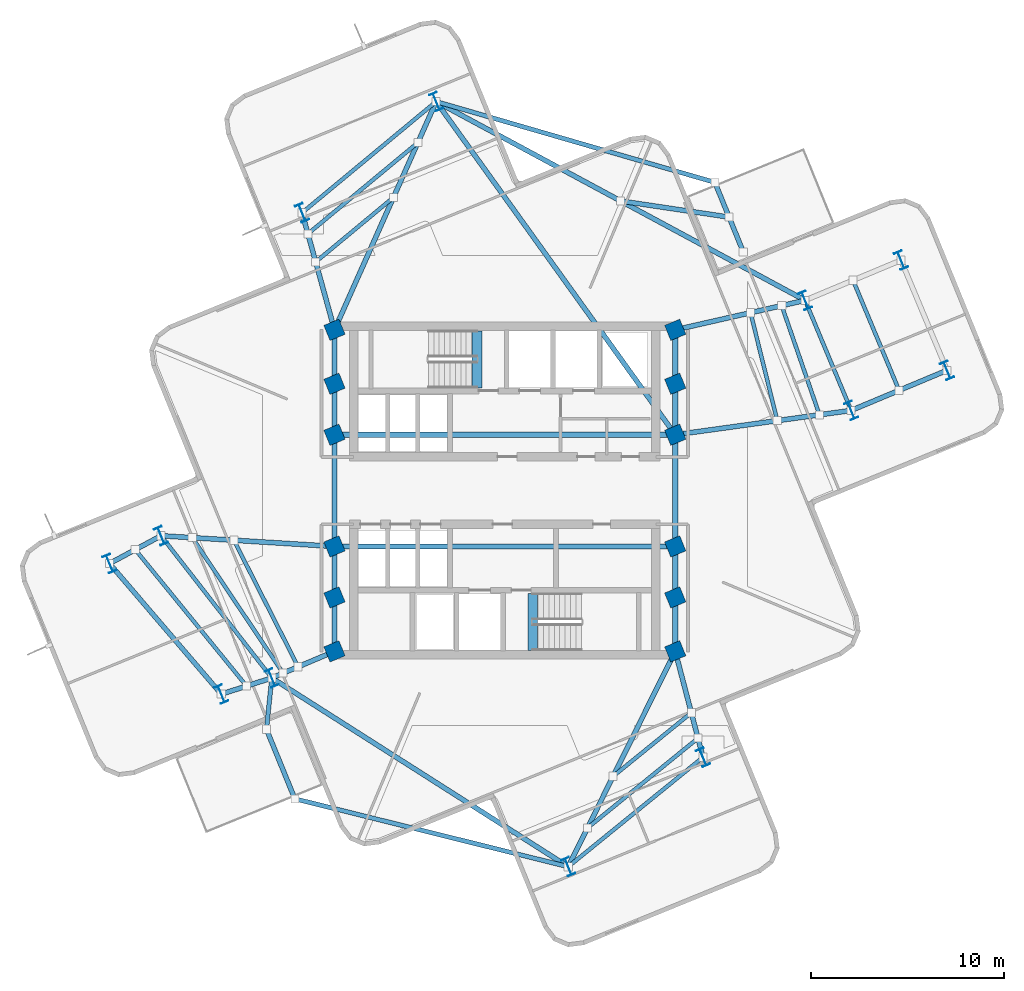
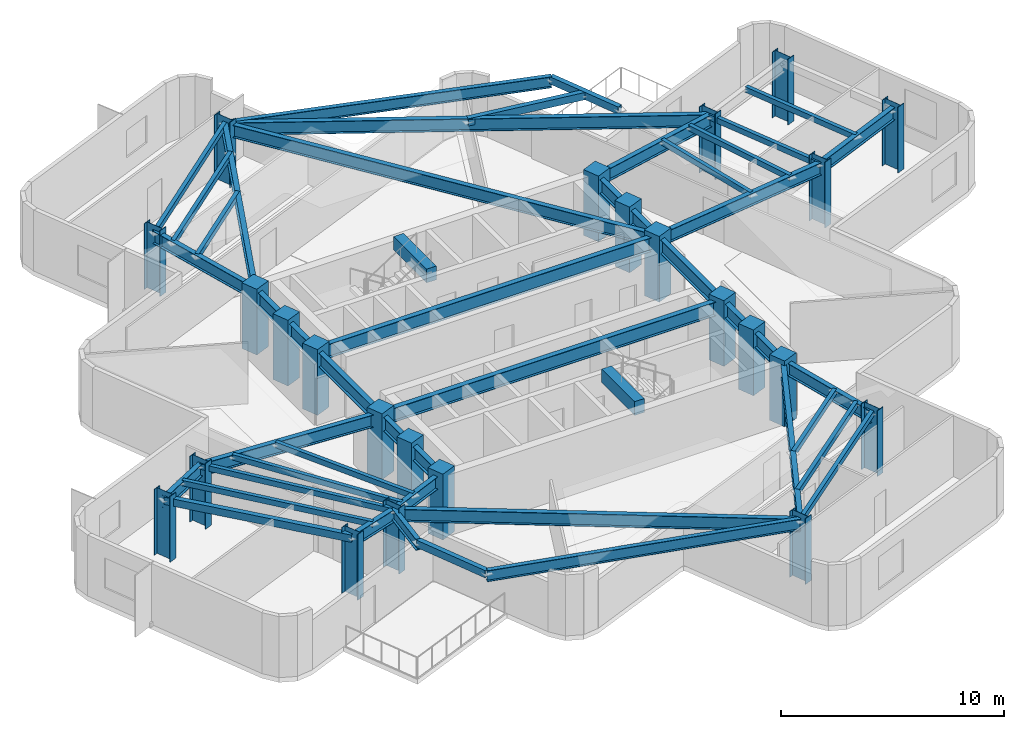
# One storey, part 1 of 8: 49 beams, 24 columns.
"""IFC4 building model written with IfcOpenShell, lengths in metres."""

from ifc_helpers import new_model, si_unit, direction, frame, origin, origin_2d, place, context, subcontext, project, spatial, rectangle, hollow_rectangle, i_section, extrude, material, material_profile, profile_set, type_object, element, save


model = new_model("IFC4")

# Units and contexts
model_context = context("Model", 3, precision=1e-05, world=origin(), true_north=direction((0.0, 1.0)))
body_context = subcontext(model_context, "Body", "Model", "MODEL_VIEW")
ifc_project = project(units=[si_unit("LENGTHUNIT", "METRE"), si_unit("AREAUNIT", "SQUARE_METRE"), si_unit("VOLUMEUNIT", "CUBIC_METRE"), si_unit("PLANEANGLEUNIT", "RADIAN"), si_unit("MASSUNIT", "GRAM", prefix="KILO")], contexts=[model_context])

# Site, building, storey
site_placement = place(None, origin())
site = spatial("IfcSite", under=ifc_project, at=site_placement, CompositionType="ELEMENT")
building_placement = place(site_placement, origin())
building = spatial("IfcBuilding", under=site, at=building_placement, Name="Solmarez Civic Tower", CompositionType="ELEMENT")
storey_placement = place(building_placement, frame((0.0, 0.0, 173.8798828125)))
storey = spatial("IfcBuildingStorey", under=building, at=storey_placement, Name="L46", CompositionType="ELEMENT", Elevation=173.8798828125)

# Columns
ifc_material_1 = material(Name="Concrete C50/60", Category="concrete")
ifc_material_profile_1 = material_profile(ifc_material_1, rectangle(XDim=0.85009765625, YDim=0.85009765625, at=origin_2d()), Name="RC850X850")
ifc_profile_set_1 = profile_set([ifc_material_profile_1], Name="Concrete C50/60")
column_type_1 = type_object("IfcColumnType", Name="COL-RC850", PredefinedType="COLUMN", material=ifc_profile_set_1)
for number, where, z_axis, x_axis, name in (
    (1, (-8.85009765625, -5.550048828125, 0.0), (0.0, 0.0, 1.0), (0.92587058481, 0.377840786818, 0.0), "L46 Structural Column HC1"),
    (2, (-8.85009765625, -2.89990234375, 0.0), (0.0, 0.0, 1.0), (0.92587058481, 0.377840786818, 0.0), "L46 Structural Column HC2"),
    (3, (-8.85009765625, 2.89990234375, 0.0), (0.0, 0.0, 1.0), (0.92587058481, 0.377840786818, 0.0), "L46 Structural Column HC3"),
    (4, (-8.85009765625, 5.550048828125, 0.0), (0.0, 0.0, 1.0), (0.92587058481, 0.377840786818, 0.0), "L46 Structural Column HC4"),
    (5, (8.85009765625, -5.550048828125, 0.0), (0.0, 0.0, 1.0), (0.92587058481, 0.377840786818, 0.0), "L46 Structural Column HC5"),
    (6, (8.85009765625, -2.89990234375, 0.0), (0.0, 0.0, 1.0), (0.92587058481, 0.377840786818, 0.0), "L46 Structural Column HC6"),
    (7, (8.85009765625, 2.89990234375, 0.0), (0.0, 0.0, 1.0), (0.92587058481, 0.377840786818, 0.0), "L46 Structural Column HC7"),
    (8, (8.85009765625, 5.550048828125, 0.0), (0.0, 0.0, 1.0), (0.92587058481, 0.377840786818, 0.0), "L46 Structural Column HC8"),
    (9, (-8.85009765625, 8.35009765625, 0.0), (0.0, 0.0, 1.0), (0.92587058481, 0.377840786818, 0.0), "L46 Structural Column HC9"),
    (10, (8.85009765625, -8.35009765625, 0.0), (0.0, 0.0, 1.0), (0.92587058481, 0.377840786818, 0.0), "L46 Structural Column HC10"),
    (11, (8.85009765625, 8.35009765625, 0.0), (0.0, 0.0, 1.0), (0.92587058481, 0.377840786818, 0.0), "L46 Structural Column HC11"),
    (12, (-8.85009765625, -8.35009765625, 0.0), (0.0, 0.0, 1.0), (0.92587058481, 0.377840786818, 0.0), "L46 Structural Column HC12"),
):
    element("IfcColumn", number, at=place(storey_placement, frame(where, z_axis=z_axis, x_axis=x_axis)), inside=storey, type_object=column_type_1, Name=name, PredefinedType="COLUMN", context=body_context, shape_type="SweptSolid", body=[
        extrude(rectangle(XDim=0.85009765625, YDim=0.85009765625, at=origin_2d()), origin(), (0.0, 0.0, 1.0), 3.60009765625),
    ])
ifc_material_2 = material(Name="Steel S355", Category="steel")
ifc_material_profile_2 = material_profile(ifc_material_2, i_section(OverallWidth=0.41796875, OverallDepth=0.927001953125, WebThickness=0.019287109375, FlangeThickness=0.031982421875, at=origin_2d()), Name="W36X231")
ifc_profile_set_2 = profile_set([ifc_material_profile_2], Name="Steel S355")
column_type_2 = type_object("IfcColumnType", Name="COL-W36X231", PredefinedType="COLUMN", material=ifc_profile_set_2)
for number, where, z_axis, x_axis, name in (
    (13, (17.987060546875, 4.1640625, 0.0), (0.0, 0.0, 1.0), (0.92587058481, 0.377840786818, 0.0), "L46 Structural Column EA11"),
    (14, (15.593994140625, 9.883056640625, 0.0), (0.0, 0.0, 1.0), (0.92587058481, 0.377840786818, 0.0), "L46 Structural Column EA12"),
    (15, (22.968017578125, 6.248046875, 0.0), (0.0, 0.0, 1.0), (0.92587058481, 0.377840786818, 0.0), "L46 Structural Column EA21"),
    (16, (20.575927734375, 11.967041015625, 0.0), (0.0, 0.0, 1.0), (0.92587058481, 0.377840786818, 0.0), "L46 Structural Column EA22"),
    (17, (-3.570068359375, 20.20703125, 0.0), (0.0, 0.0, 1.0), (0.92587058481, 0.377840786818, 0.0), "L46 Structural Column NA11"),
    (18, (-10.532958984375, 14.43310546875, 0.0), (0.0, 0.0, 1.0), (0.92587058481, 0.377840786818, 0.0), "L46 Structural Column NA12"),
    (19, (-17.85791015625, -2.345947265625, 0.0), (0.0, 0.0, 1.0), (0.92587058481, 0.377840786818, 0.0), "L46 Structural Column WA11"),
    (20, (-12.10595703125, -9.73095703125, 0.0), (0.0, 0.0, 1.0), (0.92587058481, 0.377840786818, 0.0), "L46 Structural Column WA12"),
    (21, (-20.534912109375, -3.7880859375, 0.0), (0.0, 0.0, 1.0), (0.92587058481, 0.377840786818, 0.0), "L46 Structural Column WA21"),
    (22, (-14.73095703125, -10.572998046875, 0.0), (0.0, 0.0, 1.0), (0.92587058481, 0.377840786818, 0.0), "L46 Structural Column WA22"),
    (23, (3.2900390625, -19.535888671875, 0.0), (0.0, 0.0, 1.0), (0.92587058481, 0.377840786818, 0.0), "L46 Structural Column SA11"),
    (24, (10.2900390625, -13.85009765625, 0.0), (0.0, 0.0, 1.0), (0.92587058481, 0.377840786818, 0.0), "L46 Structural Column SA12"),
):
    element("IfcColumn", number, at=place(storey_placement, frame(where, z_axis=z_axis, x_axis=x_axis)), inside=storey, type_object=column_type_2, Name=name, PredefinedType="COLUMN", context=body_context, shape_type="SweptSolid", body=[
        extrude(i_section(OverallWidth=0.41796875, OverallDepth=0.927001953125, WebThickness=0.019287109375, FlangeThickness=0.031982421875, at=origin_2d()), origin(), (0.0, 0.0, 1.0), 3.60009765625),
    ])

# Beams
ifc_material_profile_3 = material_profile(ifc_material_2, hollow_rectangle(XDim=0.199951171875, YDim=0.300048828125, WallThickness=0.011962890625, at=origin_2d()), Name="HSS300X200X12")
ifc_profile_set_3 = profile_set([ifc_material_profile_3], Name="Steel S355")
beam_type_1 = type_object("IfcBeamType", Name="BM-JS-HSS300X200", PredefinedType="JOIST", material=ifc_profile_set_3)
beam_1_placement = place(storey_placement, frame((17.987060546875, 4.1640625, 3.190185546875), z_axis=(-0.386010282684, 0.922494477849, 0.0), x_axis=(-0.922494477849, -0.386010282684, 0.0)))
element("IfcBeam", 25, at=beam_1_placement, inside=storey, type_object=beam_type_1, Name="L46 Secondary Floor Joist BM-L46-EA-T1", PredefinedType="JOIST", context=body_context, shape_type="SweptSolid", body=[
    extrude(hollow_rectangle(XDim=0.199951171875, YDim=0.300048828125, WallThickness=0.011962890625, at=origin_2d()), origin(), (0.0, 0.0, 1.0), 6.199462890625),
])
beam_2_placement = place(storey_placement, frame((20.47705078125, 5.2060546875, 3.190185546875), z_axis=(-0.385876218946, 0.922550564279, 0.0), x_axis=(-0.922550564279, -0.385876218946, 0.0)))
element("IfcBeam", 26, at=beam_2_placement, inside=storey, type_object=beam_type_1, Name="L46 Secondary Floor Joist JS-L46-EA-M2", PredefinedType="JOIST", context=body_context, shape_type="SweptSolid", body=[
    extrude(hollow_rectangle(XDim=0.199951171875, YDim=0.300048828125, WallThickness=0.011962890625, at=origin_2d()), origin(), (0.0, 0.0, 1.0), 6.19921875),
])
beam_3_placement = place(storey_placement, frame((14.14892578125, 3.633056640625, 3.190185546875), z_axis=(-0.240167471374, 0.970731469405, 0.0), x_axis=(-0.970731469405, -0.240167471374, 0.0)))
element("IfcBeam", 27, at=beam_3_placement, inside=storey, type_object=beam_type_1, Name="L46 Secondary Floor Joist JS-L46-EA-M11", PredefinedType="JOIST", context=body_context, shape_type="SweptSolid", body=[
    extrude(hollow_rectangle(XDim=0.199951171875, YDim=0.300048828125, WallThickness=0.011962890625, at=origin_2d()), origin(), (0.0, 0.0, 1.0), 5.77490234375),
])
beam_4_placement = place(storey_placement, frame((16.342041015625, 3.93603515625, 3.190185546875), z_axis=(-0.326984797789, 0.945029598486, 0.0), x_axis=(-0.945029598486, -0.326984797789, 0.0)))
element("IfcBeam", 28, at=beam_4_placement, inside=storey, type_object=beam_type_1, Name="L46 Secondary Floor Joist JS-L46-EA-M12", PredefinedType="JOIST", context=body_context, shape_type="SweptSolid", body=[
    extrude(hollow_rectangle(XDim=0.199951171875, YDim=0.300048828125, WallThickness=0.011962890625, at=origin_2d()), origin(), (0.0, 0.0, 1.0), 6.000732421875),
])
beam_5_placement = place(storey_placement, frame((-3.570068359375, 20.20703125, 3.190185546875), z_axis=(-0.769767664309, -0.638324167633, 0.0), x_axis=(0.638324167633, -0.769767664309, 0.0)))
element("IfcBeam", 29, at=beam_5_placement, inside=storey, type_object=beam_type_1, Name="L46 Secondary Floor Joist BM-L46-NA-T1", PredefinedType="JOIST", context=body_context, shape_type="SweptSolid", body=[
    extrude(hollow_rectangle(XDim=0.199951171875, YDim=0.300048828125, WallThickness=0.011962890625, at=origin_2d()), origin(), (0.0, 0.0, 1.0), 9.04541015625),
])
beam_6_placement = place(storey_placement, frame((-5.7880859375, 15.22705078125, 3.190185546875), z_axis=(-0.76969549019, -0.63841119381, 0.0), x_axis=(0.63841119381, -0.76969549019, 0.0)))
element("IfcBeam", 30, at=beam_6_placement, inside=storey, type_object=beam_type_1, Name="L46 Secondary Floor Joist JS-L46-NA-M11", PredefinedType="JOIST", context=body_context, shape_type="SweptSolid", body=[
    extrude(hollow_rectangle(XDim=0.199951171875, YDim=0.300048828125, WallThickness=0.011962890625, at=origin_2d()), origin(), (0.0, 0.0, 1.0), 5.24609375),
])
beam_7_placement = place(storey_placement, frame((-4.52001953125, 18.072998046875, 3.190185546875), z_axis=(-0.769756777075, -0.638337296535, 0.0), x_axis=(0.638337296535, -0.769756777075, 0.0)))
element("IfcBeam", 31, at=beam_7_placement, inside=storey, type_object=beam_type_1, Name="L46 Secondary Floor Joist JS-L46-NA-M12", PredefinedType="JOIST", context=body_context, shape_type="SweptSolid", body=[
    extrude(hollow_rectangle(XDim=0.199951171875, YDim=0.300048828125, WallThickness=0.011962890625, at=origin_2d()), origin(), (0.0, 0.0, 1.0), 7.41796875),
])
beam_8_placement = place(storey_placement, frame((-17.85791015625, -2.345947265625, 3.190185546875), z_axis=(0.614476744631, -0.788934934141, 0.0), x_axis=(0.788934934141, 0.614476744631, 0.0)))
element("IfcBeam", 32, at=beam_8_placement, inside=storey, type_object=beam_type_1, Name="L46 Secondary Floor Joist BM-L46-WA-T1", PredefinedType="JOIST", context=body_context, shape_type="SweptSolid", body=[
    extrude(hollow_rectangle(XDim=0.199951171875, YDim=0.300048828125, WallThickness=0.011962890625, at=origin_2d()), origin(), (0.0, 0.0, 1.0), 9.36083984375),
])
beam_9_placement = place(storey_placement, frame((-19.197021484375, -3.06689453125, 3.190185546875), z_axis=(0.632062174253, -0.77491767813, 0.0), x_axis=(0.77491767813, 0.632062174253, 0.0)))
element("IfcBeam", 33, at=beam_9_placement, inside=storey, type_object=beam_type_1, Name="L46 Secondary Floor Joist JS-L46-WA-M2", PredefinedType="JOIST", context=body_context, shape_type="SweptSolid", body=[
    extrude(hollow_rectangle(XDim=0.199951171875, YDim=0.300048828125, WallThickness=0.011962890625, at=origin_2d()), origin(), (0.0, 0.0, 1.0), 9.14306640625),
])
beam_10_placement = place(storey_placement, frame((-14.074951171875, -2.5791015625, 3.190185546875), z_axis=(0.452743410654, -0.891640849282, 0.0), x_axis=(0.891640849282, 0.452743410654, 0.0)))
element("IfcBeam", 34, at=beam_10_placement, inside=storey, type_object=beam_type_1, Name="L46 Secondary Floor Joist JS-L46-WA-M11", PredefinedType="JOIST", context=body_context, shape_type="SweptSolid", body=[
    extrude(hollow_rectangle(XDim=0.199951171875, YDim=0.300048828125, WallThickness=0.011962890625, at=origin_2d()), origin(), (0.0, 0.0, 1.0), 7.370361328125),
])
beam_11_placement = place(storey_placement, frame((-16.237060546875, -2.446044921875, 3.190185546875), z_axis=(0.556859935783, -0.830606412159, 0.0), x_axis=(0.830606412159, 0.556859935783, 0.0)))
element("IfcBeam", 35, at=beam_11_placement, inside=storey, type_object=beam_type_1, Name="L46 Secondary Floor Joist JS-L46-WA-M12", PredefinedType="JOIST", context=body_context, shape_type="SweptSolid", body=[
    extrude(hollow_rectangle(XDim=0.199951171875, YDim=0.300048828125, WallThickness=0.011962890625, at=origin_2d()), origin(), (0.0, 0.0, 1.0), 8.470703125),
])
beam_12_placement = place(storey_placement, frame((3.2900390625, -19.535888671875, 3.190185546875), z_axis=(0.776206737012, 0.630478470225, 0.0), x_axis=(-0.630478470225, 0.776206737012, 0.0)))
element("IfcBeam", 36, at=beam_12_placement, inside=storey, type_object=beam_type_1, Name="L46 Secondary Floor Joist BM-L46-SA-T1", PredefinedType="JOIST", context=body_context, shape_type="SweptSolid", body=[
    extrude(hollow_rectangle(XDim=0.199951171875, YDim=0.300048828125, WallThickness=0.011962890625, at=origin_2d()), origin(), (0.0, 0.0, 1.0), 9.018310546875),
])
beam_13_placement = place(storey_placement, frame((5.625, -14.837890625, 3.190185546875), z_axis=(0.776202509922, 0.630483674325, 0.0), x_axis=(-0.630483674325, 0.776202509922, 0.0)))
element("IfcBeam", 37, at=beam_13_placement, inside=storey, type_object=beam_type_1, Name="L46 Secondary Floor Joist JS-L46-SA-M11", PredefinedType="JOIST", context=body_context, shape_type="SweptSolid", body=[
    extrude(hollow_rectangle(XDim=0.199951171875, YDim=0.300048828125, WallThickness=0.011962890625, at=origin_2d()), origin(), (0.0, 0.0, 1.0), 5.230712890625),
])
beam_14_placement = place(storey_placement, frame((4.291015625, -17.52294921875, 3.190185546875), z_axis=(0.776173575786, 0.630519294115, 0.0), x_axis=(-0.630519294115, 0.776173575786, 0.0)))
element("IfcBeam", 38, at=beam_14_placement, inside=storey, type_object=beam_type_1, Name="L46 Secondary Floor Joist JS-L46-SA-M12", PredefinedType="JOIST", context=body_context, shape_type="SweptSolid", body=[
    extrude(hollow_rectangle(XDim=0.199951171875, YDim=0.300048828125, WallThickness=0.011962890625, at=origin_2d()), origin(), (0.0, 0.0, 1.0), 7.395263671875),
])
ifc_material_profile_4 = material_profile(ifc_material_1, rectangle(XDim=0.5, YDim=0.75, at=origin_2d()), Name="RC500X750")
ifc_profile_set_4 = profile_set([ifc_material_profile_4], Name="Concrete C50/60")
beam_type_2 = type_object("IfcBeamType", Name="BM-PR-RC500X750", PredefinedType="BEAM", material=ifc_profile_set_4)
for number, where, z_axis, x_axis, name in (
    (39, (-1.449951171875, 5.340087890625, 3.233154296875), (0.0, 1.0, 0.0), (-1.0, 0.0, 0.0), "L46 North Stair Threshold Beam"),
    (40, (1.449951171875, -8.300048828125, 3.233154296875), (0.0, 1.0, 0.0), (-1.0, 0.0, 0.0), "L46 South Stair Threshold Beam"),
):
    element("IfcBeam", number, at=place(storey_placement, frame(where, z_axis=z_axis, x_axis=x_axis)), inside=storey, type_object=beam_type_2, Name=name, PredefinedType="BEAM", context=body_context, shape_type="SweptSolid", body=[
        extrude(rectangle(XDim=0.5, YDim=0.75, at=origin_2d()), origin(), (0.0, 0.0, 1.0), 2.9599609375),
    ])
ifc_material_profile_5 = material_profile(ifc_material_2, i_section(OverallWidth=0.25390625, OverallDepth=0.68798828125, WebThickness=0.01318359375, FlangeThickness=0.02099609375, at=origin_2d()), Name="W27X102")
ifc_profile_set_5 = profile_set([ifc_material_profile_5], Name="Steel S355")
beam_type_3 = type_object("IfcBeamType", Name="BM-PR-W27X102", PredefinedType="BEAM", material=ifc_profile_set_5)
beam_15_placement = place(storey_placement, frame((8.85009765625, 2.89990234375, 2.99609375), z_axis=(0.990563968355, 0.137051175101, 0.0), x_axis=(-0.137051175101, 0.990563968355, 0.0)))
element("IfcBeam", 41, at=beam_15_placement, inside=storey, type_object=beam_type_3, Name="L46 Primary Floor Beam BM-L46-EA-R1A", PredefinedType="BEAM", context=body_context, shape_type="SweptSolid", body=[
    extrude(i_section(OverallWidth=0.25390625, OverallDepth=0.68798828125, WebThickness=0.01318359375, FlangeThickness=0.02099609375, at=origin_2d()), origin(), (0.0, 0.0, 1.0), 9.22412109375),
])
beam_16_placement = place(storey_placement, frame((8.85009765625, 8.35009765625, 2.99609375), z_axis=(0.975124879448, 0.221656196577, 0.0), x_axis=(-0.221656196577, 0.975124879448, 0.0)))
element("IfcBeam", 42, at=beam_16_placement, inside=storey, type_object=beam_type_3, Name="L46 Primary Floor Beam BM-L46-EA-R1B", PredefinedType="BEAM", context=body_context, shape_type="SweptSolid", body=[
    extrude(i_section(OverallWidth=0.25390625, OverallDepth=0.68798828125, WebThickness=0.01318359375, FlangeThickness=0.02099609375, at=origin_2d()), origin(), (0.0, 0.0, 1.0), 6.916015625),
])
beam_17_placement = place(storey_placement, frame((17.987060546875, 4.1640625, 2.99609375), z_axis=(0.922511388683, 0.385969866376, 0.0), x_axis=(-0.385969866376, 0.922511388683, 0.0)))
element("IfcBeam", 43, at=beam_17_placement, inside=storey, type_object=beam_type_3, Name="L46 Primary Floor Beam BM-L46-EA-R2A", PredefinedType="BEAM", context=body_context, shape_type="SweptSolid", body=[
    extrude(i_section(OverallWidth=0.25390625, OverallDepth=0.68798828125, WebThickness=0.01318359375, FlangeThickness=0.02099609375, at=origin_2d()), origin(), (0.0, 0.0, 1.0), 5.3994140625),
])
beam_18_placement = place(storey_placement, frame((-8.85009765625, 8.35009765625, 2.99609375), z_axis=(0.406799805731, 0.9135173332, 0.0), x_axis=(-0.9135173332, 0.406799805731, 0.0)))
element("IfcBeam", 44, at=beam_18_placement, inside=storey, type_object=beam_type_3, Name="L46 Primary Floor Beam BM-L46-NA-R1A", PredefinedType="BEAM", context=body_context, shape_type="SweptSolid", body=[
    extrude(i_section(OverallWidth=0.25390625, OverallDepth=0.68798828125, WebThickness=0.01318359375, FlangeThickness=0.02099609375, at=origin_2d()), origin(), (0.0, 0.0, 1.0), 12.9794921875),
])
beam_19_placement = place(storey_placement, frame((-8.85009765625, 8.35009765625, 2.99609375), z_axis=(-0.266634219494, 0.963797796737, 0.0), x_axis=(-0.963797796737, -0.266634219494, 0.0)))
element("IfcBeam", 45, at=beam_19_placement, inside=storey, type_object=beam_type_3, Name="L46 Primary Floor Beam BM-L46-NA-R1B", PredefinedType="BEAM", context=body_context, shape_type="SweptSolid", body=[
    extrude(i_section(OverallWidth=0.25390625, OverallDepth=0.68798828125, WebThickness=0.01318359375, FlangeThickness=0.02099609375, at=origin_2d()), origin(), (0.0, 0.0, 1.0), 6.3115234375),
])
beam_20_placement = place(storey_placement, frame((-8.85009765625, -2.89990234375, 2.99609375), z_axis=(-0.998114395047, 0.061381221877, 0.0), x_axis=(-0.061381221877, -0.998114395047, 0.0)))
element("IfcBeam", 46, at=beam_20_placement, inside=storey, type_object=beam_type_3, Name="L46 Primary Floor Beam BM-L46-WA-R1A", PredefinedType="BEAM", context=body_context, shape_type="SweptSolid", body=[
    extrude(i_section(OverallWidth=0.25390625, OverallDepth=0.68798828125, WebThickness=0.01318359375, FlangeThickness=0.02099609375, at=origin_2d()), origin(), (0.0, 0.0, 1.0), 9.02490234375),
])
beam_21_placement = place(storey_placement, frame((-8.85009765625, -8.35009765625, 2.99609375), z_axis=(-0.920623894701, -0.390450566019, 0.0), x_axis=(0.390450566019, -0.920623894701, 0.0)))
element("IfcBeam", 47, at=beam_21_placement, inside=storey, type_object=beam_type_3, Name="L46 Primary Floor Beam BM-L46-WA-R1B", PredefinedType="BEAM", context=body_context, shape_type="SweptSolid", body=[
    extrude(i_section(OverallWidth=0.25390625, OverallDepth=0.68798828125, WebThickness=0.01318359375, FlangeThickness=0.02099609375, at=origin_2d()), origin(), (0.0, 0.0, 1.0), 3.53662109375),
])
beam_22_placement = place(storey_placement, frame((-17.85791015625, -2.345947265625, 2.99609375), z_axis=(-0.880378270924, -0.474272179329, 0.0), x_axis=(0.474272179329, -0.880378270924, 0.0)))
element("IfcBeam", 48, at=beam_22_placement, inside=storey, type_object=beam_type_3, Name="L46 Primary Floor Beam BM-L46-WA-R2A", PredefinedType="BEAM", context=body_context, shape_type="SweptSolid", body=[
    extrude(i_section(OverallWidth=0.25390625, OverallDepth=0.68798828125, WebThickness=0.01318359375, FlangeThickness=0.02099609375, at=origin_2d()), origin(), (0.0, 0.0, 1.0), 3.040771484375),
])
beam_23_placement = place(storey_placement, frame((-12.10595703125, -9.73095703125, 2.99609375), z_axis=(-0.952208998703, -0.305447250421, 0.0), x_axis=(0.305447250421, -0.952208998703, 0.0)))
element("IfcBeam", 49, at=beam_23_placement, inside=storey, type_object=beam_type_3, Name="L46 Primary Floor Beam BM-L46-WA-R2B", PredefinedType="BEAM", context=body_context, shape_type="SweptSolid", body=[
    extrude(i_section(OverallWidth=0.25390625, OverallDepth=0.68798828125, WebThickness=0.01318359375, FlangeThickness=0.02099609375, at=origin_2d()), origin(), (0.0, 0.0, 1.0), 2.7568359375),
])
beam_24_placement = place(storey_placement, frame((8.85009765625, -8.35009765625, 2.99609375), z_axis=(-0.44510935737, -0.895476219663, 0.0), x_axis=(0.895476219663, -0.44510935737, 0.0)))
element("IfcBeam", 50, at=beam_24_placement, inside=storey, type_object=beam_type_3, Name="L46 Primary Floor Beam BM-L46-SA-R1A", PredefinedType="BEAM", context=body_context, shape_type="SweptSolid", body=[
    extrude(i_section(OverallWidth=0.25390625, OverallDepth=0.68798828125, WebThickness=0.01318359375, FlangeThickness=0.02099609375, at=origin_2d()), origin(), (0.0, 0.0, 1.0), 12.491455078125),
])
beam_25_placement = place(storey_placement, frame((8.85009765625, -8.35009765625, 2.99609375), z_axis=(0.253271365575, -0.967395273598, 0.0), x_axis=(0.967395273598, 0.253271365575, 0.0)))
element("IfcBeam", 51, at=beam_25_placement, inside=storey, type_object=beam_type_3, Name="L46 Primary Floor Beam BM-L46-SA-R1B", PredefinedType="BEAM", context=body_context, shape_type="SweptSolid", body=[
    extrude(i_section(OverallWidth=0.25390625, OverallDepth=0.68798828125, WebThickness=0.01318359375, FlangeThickness=0.02099609375, at=origin_2d()), origin(), (0.0, 0.0, 1.0), 5.685302734375),
])
beam_26_placement = place(storey_placement, frame((15.593994140625, 9.883056640625, 2.99609375), z_axis=(-0.880377808395, 0.474273037908, 0.0), x_axis=(-0.474273037908, -0.880377808395, 0.0)))
element("IfcBeam", 52, at=beam_26_placement, inside=storey, type_object=beam_type_3, Name="L46 Primary Floor Beam BM-L46-BALC-NEC", PredefinedType="BEAM", context=body_context, shape_type="SweptSolid", body=[
    extrude(i_section(OverallWidth=0.25390625, OverallDepth=0.68798828125, WebThickness=0.01318359375, FlangeThickness=0.02099609375, at=origin_2d()), origin(), (0.0, 0.0, 1.0), 21.76806640625),
])
beam_27_placement = place(storey_placement, frame((8.85009765625, 2.89990234375, 2.99609375), z_axis=(-0.583037485984, 0.812445253502, 0.0), x_axis=(-0.812445253502, -0.583037485984, 0.0)))
element("IfcBeam", 53, at=beam_27_placement, inside=storey, type_object=beam_type_3, Name="L46 Primary Floor Beam BM-L46-BALC-NETIE", PredefinedType="BEAM", context=body_context, shape_type="SweptSolid", body=[
    extrude(i_section(OverallWidth=0.25390625, OverallDepth=0.68798828125, WebThickness=0.01318359375, FlangeThickness=0.02099609375, at=origin_2d()), origin(), (0.0, 0.0, 1.0), 21.302490234375),
])
beam_28_placement = place(storey_placement, frame((-12.10595703125, -9.73095703125, 2.99609375), z_axis=(0.843475834773, -0.537167121251, 0.0), x_axis=(0.537167121251, 0.843475834773, 0.0)))
element("IfcBeam", 54, at=beam_28_placement, inside=storey, type_object=beam_type_3, Name="L46 Primary Floor Beam BM-L46-BALC-SWC", PredefinedType="BEAM", context=body_context, shape_type="SweptSolid", body=[
    extrude(i_section(OverallWidth=0.25390625, OverallDepth=0.68798828125, WebThickness=0.01318359375, FlangeThickness=0.02099609375, at=origin_2d()), origin(), (0.0, 0.0, 1.0), 18.2529296875),
])
ifc_material_profile_6 = material_profile(ifc_material_2, i_section(OverallWidth=0.26708984375, OverallDepth=0.761962890625, WebThickness=0.014404296875, FlangeThickness=0.021484375, at=origin_2d()), Name="W30X116")
ifc_profile_set_6 = profile_set([ifc_material_profile_6], Name="Steel S355")
beam_type_4 = type_object("IfcBeamType", Name="BM-PR-W30X116", PredefinedType="BEAM", material=ifc_profile_set_6)
beam_29_placement = place(storey_placement, frame((-8.85009765625, -8.35009765625, 2.959228515625), z_axis=(0.0, 1.0, 0.0), x_axis=(-1.0, 0.0, 0.0)))
element("IfcBeam", 55, at=beam_29_placement, inside=storey, type_object=beam_type_4, Name="L46 Primary Floor Beam BM-L46-HC12-HC1", PredefinedType="BEAM", context=body_context, shape_type="SweptSolid", body=[
    extrude(i_section(OverallWidth=0.26708984375, OverallDepth=0.761962890625, WebThickness=0.014404296875, FlangeThickness=0.021484375, at=origin_2d()), origin(), (0.0, 0.0, 1.0), 2.800048828125),
])
beam_30_placement = place(storey_placement, frame((-8.85009765625, -5.550048828125, 2.959228515625), z_axis=(0.0, 1.0, 0.0), x_axis=(-1.0, 0.0, 0.0)))
element("IfcBeam", 56, at=beam_30_placement, inside=storey, type_object=beam_type_4, Name="L46 Primary Floor Beam BM-L46-HC1-HC2", PredefinedType="BEAM", context=body_context, shape_type="SweptSolid", body=[
    extrude(i_section(OverallWidth=0.26708984375, OverallDepth=0.761962890625, WebThickness=0.014404296875, FlangeThickness=0.021484375, at=origin_2d()), origin(), (0.0, 0.0, 1.0), 2.650146484375),
])
beam_31_placement = place(storey_placement, frame((-8.85009765625, -2.89990234375, 2.959228515625), z_axis=(0.0, 1.0, 0.0), x_axis=(-1.0, 0.0, 0.0)))
element("IfcBeam", 57, at=beam_31_placement, inside=storey, type_object=beam_type_4, Name="L46 Primary Floor Beam BM-L46-HC2-HC3", PredefinedType="BEAM", context=body_context, shape_type="SweptSolid", body=[
    extrude(i_section(OverallWidth=0.26708984375, OverallDepth=0.761962890625, WebThickness=0.014404296875, FlangeThickness=0.021484375, at=origin_2d()), origin(), (0.0, 0.0, 1.0), 5.7998046875),
])
beam_32_placement = place(storey_placement, frame((-8.85009765625, 2.89990234375, 2.959228515625), z_axis=(0.0, 1.0, 0.0), x_axis=(-1.0, 0.0, 0.0)))
element("IfcBeam", 58, at=beam_32_placement, inside=storey, type_object=beam_type_4, Name="L46 Primary Floor Beam BM-L46-HC3-HC4", PredefinedType="BEAM", context=body_context, shape_type="SweptSolid", body=[
    extrude(i_section(OverallWidth=0.26708984375, OverallDepth=0.761962890625, WebThickness=0.014404296875, FlangeThickness=0.021484375, at=origin_2d()), origin(), (0.0, 0.0, 1.0), 2.650146484375),
])
for number, where, z_axis, x_axis, name in (
    (59, (-8.85009765625, 5.550048828125, 2.959228515625), (0.0, 1.0, 0.0), (-1.0, 0.0, 0.0), "L46 Primary Floor Beam BM-L46-HC4-HC9"),
    (60, (8.85009765625, -8.35009765625, 2.959228515625), (0.0, 1.0, 0.0), (-1.0, 0.0, 0.0), "L46 Primary Floor Beam BM-L46-HC10-HC5"),
):
    element("IfcBeam", number, at=place(storey_placement, frame(where, z_axis=z_axis, x_axis=x_axis)), inside=storey, type_object=beam_type_4, Name=name, PredefinedType="BEAM", context=body_context, shape_type="SweptSolid", body=[
        extrude(i_section(OverallWidth=0.26708984375, OverallDepth=0.761962890625, WebThickness=0.014404296875, FlangeThickness=0.021484375, at=origin_2d()), origin(), (0.0, 0.0, 1.0), 2.800048828125),
    ])
beam_33_placement = place(storey_placement, frame((8.85009765625, -5.550048828125, 2.959228515625), z_axis=(0.0, 1.0, 0.0), x_axis=(-1.0, 0.0, 0.0)))
element("IfcBeam", 61, at=beam_33_placement, inside=storey, type_object=beam_type_4, Name="L46 Primary Floor Beam BM-L46-HC5-HC6", PredefinedType="BEAM", context=body_context, shape_type="SweptSolid", body=[
    extrude(i_section(OverallWidth=0.26708984375, OverallDepth=0.761962890625, WebThickness=0.014404296875, FlangeThickness=0.021484375, at=origin_2d()), origin(), (0.0, 0.0, 1.0), 2.650146484375),
])
beam_34_placement = place(storey_placement, frame((8.85009765625, -2.89990234375, 2.959228515625), z_axis=(0.0, 1.0, 0.0), x_axis=(-1.0, 0.0, 0.0)))
element("IfcBeam", 62, at=beam_34_placement, inside=storey, type_object=beam_type_4, Name="L46 Primary Floor Beam BM-L46-HC6-HC7", PredefinedType="BEAM", context=body_context, shape_type="SweptSolid", body=[
    extrude(i_section(OverallWidth=0.26708984375, OverallDepth=0.761962890625, WebThickness=0.014404296875, FlangeThickness=0.021484375, at=origin_2d()), origin(), (0.0, 0.0, 1.0), 5.7998046875),
])
beam_35_placement = place(storey_placement, frame((8.85009765625, 2.89990234375, 2.959228515625), z_axis=(0.0, 1.0, 0.0), x_axis=(-1.0, 0.0, 0.0)))
element("IfcBeam", 63, at=beam_35_placement, inside=storey, type_object=beam_type_4, Name="L46 Primary Floor Beam BM-L46-HC7-HC8", PredefinedType="BEAM", context=body_context, shape_type="SweptSolid", body=[
    extrude(i_section(OverallWidth=0.26708984375, OverallDepth=0.761962890625, WebThickness=0.014404296875, FlangeThickness=0.021484375, at=origin_2d()), origin(), (0.0, 0.0, 1.0), 2.650146484375),
])
beam_36_placement = place(storey_placement, frame((8.85009765625, 5.550048828125, 2.959228515625), z_axis=(0.0, 1.0, 0.0), x_axis=(-1.0, 0.0, 0.0)))
element("IfcBeam", 64, at=beam_36_placement, inside=storey, type_object=beam_type_4, Name="L46 Primary Floor Beam BM-L46-HC8-HC11", PredefinedType="BEAM", context=body_context, shape_type="SweptSolid", body=[
    extrude(i_section(OverallWidth=0.26708984375, OverallDepth=0.761962890625, WebThickness=0.014404296875, FlangeThickness=0.021484375, at=origin_2d()), origin(), (0.0, 0.0, 1.0), 2.800048828125),
])
for number, where, z_axis, x_axis, name in (
    (65, (-8.85009765625, -2.89990234375, 2.959228515625), (1.0, 0.0, 0.0), (0.0, 1.0, 0.0), "L46 Primary Floor Beam BM-L46-HC2-HC6"),
    (66, (-8.85009765625, 2.89990234375, 2.959228515625), (1.0, 0.0, 0.0), (0.0, 1.0, 0.0), "L46 Primary Floor Beam BM-L46-HC3-HC7"),
):
    element("IfcBeam", number, at=place(storey_placement, frame(where, z_axis=z_axis, x_axis=x_axis)), inside=storey, type_object=beam_type_4, Name=name, PredefinedType="BEAM", context=body_context, shape_type="SweptSolid", body=[
        extrude(i_section(OverallWidth=0.26708984375, OverallDepth=0.761962890625, WebThickness=0.014404296875, FlangeThickness=0.021484375, at=origin_2d()), origin(), (0.0, 0.0, 1.0), 17.7001953125),
    ])
ifc_material_profile_7 = material_profile(ifc_material_2, hollow_rectangle(XDim=0.25, YDim=0.39990234375, WallThickness=0.01611328125, at=origin_2d()), Name="HSS400X250X16")
ifc_profile_set_7 = profile_set([ifc_material_profile_7], Name="Steel S355")
beam_type_5 = type_object("IfcBeamType", Name="BM-SP-HSS400X250", PredefinedType="SPANDREL", material=ifc_profile_set_7)
beam_37_placement = place(storey_placement, frame((-20.534912109375, -3.7880859375, 3.14013671875), z_axis=(0.650036693718, -0.759902820642, 0.0), x_axis=(0.759902820642, 0.650036693718, 0.0)))
element("IfcBeam", 67, at=beam_37_placement, inside=storey, type_object=beam_type_5, Name="L46 Perimeter Spandrel Beam BM-L46-WA-T2", PredefinedType="SPANDREL", context=body_context, shape_type="SweptSolid", body=[
    extrude(hollow_rectangle(XDim=0.25, YDim=0.39990234375, WallThickness=0.01611328125, at=origin_2d()), origin(), (0.0, 0.0, 1.0), 8.9287109375),
])
beam_38_placement = place(storey_placement, frame((12.383056640625, 12.39794921875, 3.14013671875), z_axis=(-0.377728344413, 0.925916463741, 0.0), x_axis=(-0.925916463741, -0.377728344413, 0.0)))
element("IfcBeam", 68, at=beam_38_placement, inside=storey, type_object=beam_type_5, Name="L46 Perimeter Spandrel Beam BM-L46-BALC-NEE", PredefinedType="SPANDREL", context=body_context, shape_type="SweptSolid", body=[
    extrude(hollow_rectangle(XDim=0.25, YDim=0.39990234375, WallThickness=0.01611328125, at=origin_2d()), origin(), (0.0, 0.0, 1.0), 3.89990234375),
])
beam_39_placement = place(storey_placement, frame((6.011962890625, 15.044921875, 3.14013671875), z_axis=(0.989046421667, -0.147604795954, 0.0), x_axis=(0.147604795954, 0.989046421667, 0.0)))
element("IfcBeam", 69, at=beam_39_placement, inside=storey, type_object=beam_type_5, Name="L46 Perimeter Spandrel Beam BM-L46-BALC-NEM", PredefinedType="SPANDREL", context=body_context, shape_type="SweptSolid", body=[
    extrude(hollow_rectangle(XDim=0.25, YDim=0.39990234375, WallThickness=0.01611328125, at=origin_2d()), origin(), (0.0, 0.0, 1.0), 5.696533203125),
])
beam_40_placement = place(storey_placement, frame((-12.383056640625, -12.39794921875, 3.14013671875), z_axis=(0.377728344413, -0.925916463741, 0.0), x_axis=(0.925916463741, 0.377728344413, 0.0)))
element("IfcBeam", 70, at=beam_40_placement, inside=storey, type_object=beam_type_5, Name="L46 Perimeter Spandrel Beam BM-L46-BALC-SWE", PredefinedType="SPANDREL", context=body_context, shape_type="SweptSolid", body=[
    extrude(hollow_rectangle(XDim=0.25, YDim=0.39990234375, WallThickness=0.01611328125, at=origin_2d()), origin(), (0.0, 0.0, 1.0), 3.89990234375),
])
ifc_material_profile_8 = material_profile(ifc_material_2, i_section(OverallWidth=0.22900390625, OverallDepth=0.612060546875, WebThickness=0.011962890625, FlangeThickness=0.01953125, at=origin_2d()), Name="W24X84")
ifc_profile_set_8 = profile_set([ifc_material_profile_8], Name="Steel S355")
beam_type_6 = type_object("IfcBeamType", Name="BM-SP-W24X84", PredefinedType="SPANDREL", material=ifc_profile_set_8)
beam_41_placement = place(storey_placement, frame((-3.570068359375, 20.20703125, 3.0341796875), z_axis=(0.960450362164, -0.278451255731, 0.0), x_axis=(0.278451255731, 0.960450362164, 0.0)))
element("IfcBeam", 71, at=beam_41_placement, inside=storey, type_object=beam_type_6, Name="L46 Perimeter Spandrel Beam BM-L46-BALC-NE2", PredefinedType="SPANDREL", context=body_context, shape_type="SweptSolid", body=[
    extrude(i_section(OverallWidth=0.22900390625, OverallDepth=0.612060546875, WebThickness=0.011962890625, FlangeThickness=0.01953125, at=origin_2d()), origin(), (0.0, 0.0, 1.0), 15.076171875),
])
beam_42_placement = place(storey_placement, frame((-12.10595703125, -9.73095703125, 3.0341796875), z_axis=(-0.103343364647, -0.994645740444, 0.0), x_axis=(0.994645740444, -0.103343364647, 0.0)))
element("IfcBeam", 72, at=beam_42_placement, inside=storey, type_object=beam_type_6, Name="L46 Perimeter Spandrel Beam BM-L46-BALC-SW1", PredefinedType="SPANDREL", context=body_context, shape_type="SweptSolid", body=[
    extrude(i_section(OverallWidth=0.22900390625, OverallDepth=0.612060546875, WebThickness=0.011962890625, FlangeThickness=0.01953125, at=origin_2d()), origin(), (0.0, 0.0, 1.0), 2.681396484375),
])
beam_43_placement = place(storey_placement, frame((3.2900390625, -19.535888671875, 3.0341796875), z_axis=(-0.970513360762, 0.241047332661, 0.0), x_axis=(-0.241047332661, -0.970513360762, 0.0)))
element("IfcBeam", 73, at=beam_43_placement, inside=storey, type_object=beam_type_6, Name="L46 Perimeter Spandrel Beam BM-L46-BALC-SW2", PredefinedType="SPANDREL", context=body_context, shape_type="SweptSolid", body=[
    extrude(i_section(OverallWidth=0.22900390625, OverallDepth=0.612060546875, WebThickness=0.011962890625, FlangeThickness=0.01953125, at=origin_2d()), origin(), (0.0, 0.0, 1.0), 14.63134765625),
])

save(model, "model.ifc")
